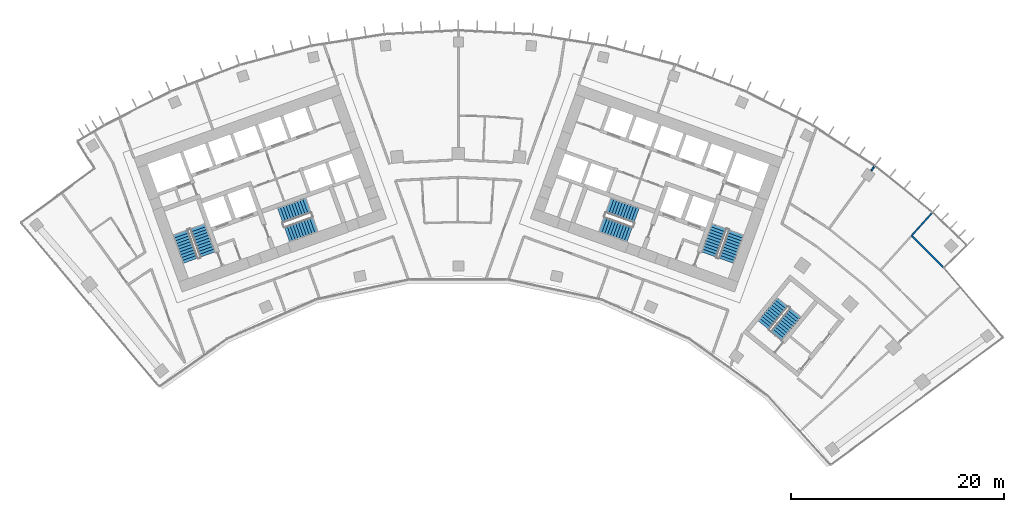
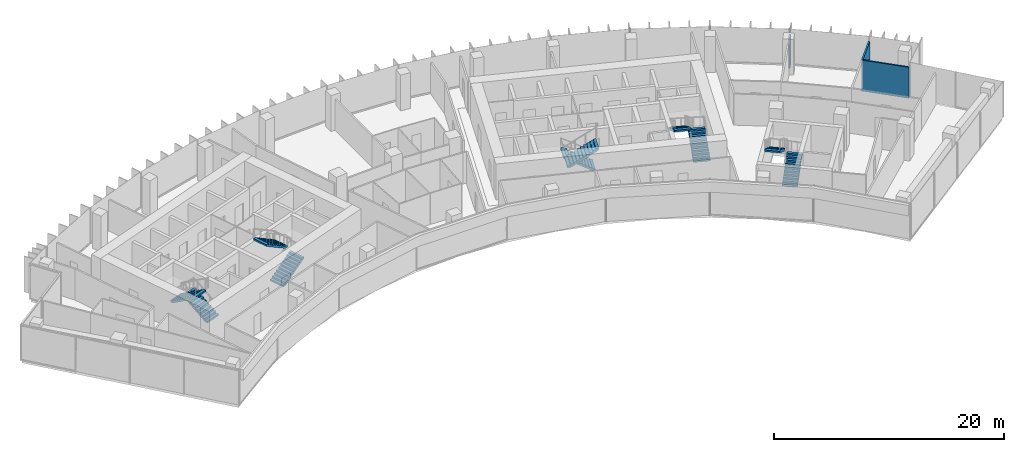
# One storey, part 17 of 19: 10 stair flights, 3 walls, 5 elements without a shape of their own.
"""IFC4 building model written with IfcOpenShell, lengths in metres."""

from ifc_helpers import new_model, si_unit, direction, frame, frame_2d, origin, place, context, subcontext, project, spatial, polyline, rectangle, outline, extrude, material, layer, layer_set, type_object, element, aggregate, save


model = new_model("IFC4")

# Units and contexts
model_context = context("Model", 3, precision=1e-05, world=origin(), true_north=direction((0.0, 1.0)))
body_context = subcontext(model_context, "Body", "Model", "MODEL_VIEW")
ifc_project = project(units=[si_unit("LENGTHUNIT", "METRE"), si_unit("AREAUNIT", "SQUARE_METRE"), si_unit("VOLUMEUNIT", "CUBIC_METRE"), si_unit("PLANEANGLEUNIT", "RADIAN"), si_unit("MASSUNIT", "GRAM", prefix="KILO")], contexts=[model_context])

# Site, building, storey
site_placement = place(None, origin())
site = spatial("IfcSite", under=ifc_project, at=site_placement, CompositionType="ELEMENT")
building_placement = place(site_placement, origin())
building = spatial("IfcBuilding", under=site, at=building_placement, Name="Stone Belt Terrace Tower", CompositionType="ELEMENT")
storey_placement = place(building_placement, frame((0.0, 0.0, 246.60009765625)))
storey = spatial("IfcBuildingStorey", under=building, at=storey_placement, Name="L60", CompositionType="ELEMENT", Elevation=246.60009765625)

# Walls
ifc_material_1 = material(Name="Gypsum board partition")
ifc_layer = layer(ifc_material_1, 0.14990234375)
ifc_layer_set = layer_set([ifc_layer], Name="PARTITION 150 EI 60")
wall_type = type_object("IfcWallType", Name="PARTITION 150 EI 60", PredefinedType="PARTITIONING", material=ifc_layer_set)
wall_1_placement = place(storey_placement, frame((39.087890625, 53.7998046875, 0.0), z_axis=(0.0, 0.0, 1.0), x_axis=(-0.588057050604, -0.808819451568, 0.0)))
element("IfcWall", 1, at=wall_1_placement, inside=storey, type_object=wall_type, Name="L60/wall/i057", PredefinedType="PARTITIONING", context=body_context, shape_type="SweptSolid", body=[
    extrude(rectangle(XDim=0.506591796875, YDim=0.14990234375, at=frame_2d((0.25341796875, 0.0))), origin(), (0.0, 0.0, 1.0), 3.2998046875),
])
wall_2_placement = place(storey_placement, frame((44.496826171875, 49.419189453125, 0.0), z_axis=(0.0, 0.0, 1.0), x_axis=(-0.669158170693, -0.743120005514, 0.0)))
element("IfcWall", 2, at=wall_2_placement, inside=storey, type_object=wall_type, Name="L60/wall/i060", PredefinedType="PARTITIONING", context=body_context, shape_type="SweptSolid", body=[
    extrude(rectangle(XDim=2.858642578125, YDim=0.14990234375, at=frame_2d((1.42919921875, 0.0))), origin(), (0.0, 0.0, 1.0), 3.2998046875),
])
wall_3_placement = place(storey_placement, frame((42.587890625, 47.299072265625, 0.0), z_axis=(0.0, 0.0, 1.0), x_axis=(0.707106781187, -0.707106781187, 0.0)))
element("IfcWall", 3, at=wall_3_placement, inside=storey, type_object=wall_type, Name="L60/wall/i061", PredefinedType="PARTITIONING", context=body_context, shape_type="SweptSolid", body=[
    extrude(rectangle(XDim=4.2099609375, YDim=0.14990234375, at=frame_2d((2.10498046875, 0.0))), origin(), (0.0, 0.0, 1.0), 3.2998046875),
])

# Stair, stair flights
ifc_material_2 = material(Name="Concrete B40", Category="concrete")
stair_type = type_object("IfcStairType", Name="Exit stair 1500", PredefinedType="HALF_TURN_STAIR", material=ifc_material_2)
stair_1_placement = place(storey_placement, origin())
stair_1 = element("IfcStair", 4, at=stair_1_placement, inside=storey, type_object=stair_type, Name="L60 Exit stair 1 core A", PredefinedType="HALF_TURN_STAIR")
stair_flight_type = type_object("IfcStairFlightType", Name="Stair flight 1500", PredefinedType="STRAIGHT", material=ifc_material_2)
stair_flight_1_placement = place(storey_placement, frame((-23.55322265625, 45.51318359375, 0.0), z_axis=(0.0, 0.0, 1.0), x_axis=(-0.338624396177, 0.940921632398, 0.0)))
stair_flight_1 = element("IfcStairFlight", 5, at=stair_flight_1_placement, type_object=stair_flight_type, Name="ST1A flight 1", NumberOfRisers=11, NumberOfTreads=10, PredefinedType="STRAIGHT", RiserHeight=0.172727273, TreadLength=0.28, context=body_context, shape_type="SweptSolid", body=[
    extrude(outline(polyline([(0.0, 0.0), (0.0, 0.172607421875), (0.280029296875, 0.172607421875), (0.280029296875, 0.345458984375), (0.56005859375, 0.345458984375), (0.56005859375, 0.51806640625), (0.840087890625, 0.51806640625), (0.840087890625, 0.69091796875), (1.1201171875, 0.69091796875), (1.1201171875, 0.863525390625), (1.39990234375, 0.863525390625), (1.39990234375, 1.036376953125), (1.679931640625, 1.036376953125), (1.679931640625, 1.208984375), (1.9599609375, 1.208984375), (1.9599609375, 1.3818359375), (2.239990234375, 1.3818359375), (2.239990234375, 1.554443359375), (2.52001953125, 1.554443359375), (2.52001953125, 1.727294921875), (2.800048828125, 1.727294921875), (2.800048828125, 1.89990234375), (2.800048828125, 1.551025390625), (0.285400390625, 0.0), (0.0, 0.0)])), frame((0.0, 0.75, 0.0), z_axis=(0.0, -1.0, 0.0), x_axis=(1.0, 0.0, 0.0)), (0.0, 0.0, 1.0), 1.5),
])
stair_flight_2_placement = place(storey_placement, frame((-26.10107421875, 47.572021484375, 1.89990234375), z_axis=(0.0, 0.0, 1.0), x_axis=(0.338624396177, -0.940921632398, 0.0)))
stair_flight_2 = element("IfcStairFlight", 6, at=stair_flight_2_placement, type_object=stair_flight_type, Name="ST1A flight 2", NumberOfRisers=11, NumberOfTreads=10, PredefinedType="STRAIGHT", RiserHeight=0.172727273, TreadLength=0.28, context=body_context, shape_type="SweptSolid", body=[
    extrude(outline(polyline([(0.0, 0.0), (0.0, 0.172607421875), (0.280029296875, 0.172607421875), (0.280029296875, 0.345458984375), (0.56005859375, 0.345458984375), (0.56005859375, 0.51806640625), (0.840087890625, 0.51806640625), (0.840087890625, 0.69091796875), (1.1201171875, 0.69091796875), (1.1201171875, 0.863525390625), (1.39990234375, 0.863525390625), (1.39990234375, 1.036376953125), (1.679931640625, 1.036376953125), (1.679931640625, 1.208984375), (1.9599609375, 1.208984375), (1.9599609375, 1.3818359375), (2.239990234375, 1.3818359375), (2.239990234375, 1.554443359375), (2.52001953125, 1.554443359375), (2.52001953125, 1.727294921875), (2.800048828125, 1.727294921875), (2.800048828125, 1.89990234375), (2.800048828125, 1.551025390625), (0.285400390625, 0.0), (0.0, 0.0)])), frame((0.0, 0.75, 0.0), z_axis=(0.0, -1.0, 0.0), x_axis=(1.0, 0.0, 0.0)), (0.0, 0.0, 1.0), 1.5),
])
aggregate(stair_1, [stair_flight_1, stair_flight_2])

stair_2_placement = place(storey_placement, origin())
stair_2 = element("IfcStair", 7, at=stair_2_placement, inside=storey, type_object=stair_type, Name="L60 Exit stair 2 core A", PredefinedType="HALF_TURN_STAIR")
stair_flight_3_placement = place(storey_placement, frame((-16.101318359375, 47.39794921875, 0.0), z_axis=(0.0, 0.0, 1.0), x_axis=(0.940921632398, 0.338624396177, 0.0)))
stair_flight_3 = element("IfcStairFlight", 8, at=stair_flight_3_placement, type_object=stair_flight_type, Name="ST2A flight 1", NumberOfRisers=11, NumberOfTreads=10, PredefinedType="STRAIGHT", RiserHeight=0.172727273, TreadLength=0.28, context=body_context, shape_type="SweptSolid", body=[
    extrude(outline(polyline([(0.0, 0.0), (0.0, 0.172607421875), (0.280029296875, 0.172607421875), (0.280029296875, 0.345458984375), (0.56005859375, 0.345458984375), (0.56005859375, 0.51806640625), (0.840087890625, 0.51806640625), (0.840087890625, 0.69091796875), (1.1201171875, 0.69091796875), (1.1201171875, 0.863525390625), (1.39990234375, 0.863525390625), (1.39990234375, 1.036376953125), (1.679931640625, 1.036376953125), (1.679931640625, 1.208984375), (1.9599609375, 1.208984375), (1.9599609375, 1.3818359375), (2.239990234375, 1.3818359375), (2.239990234375, 1.554443359375), (2.52001953125, 1.554443359375), (2.52001953125, 1.727294921875), (2.800048828125, 1.727294921875), (2.800048828125, 1.89990234375), (2.800048828125, 1.551025390625), (0.285400390625, 0.0), (0.0, 0.0)])), frame((0.0, 0.75, 0.0), z_axis=(0.0, -1.0, 0.0), x_axis=(1.0, 0.0, 0.0)), (0.0, 0.0, 1.0), 1.5),
])
stair_flight_4_placement = place(storey_placement, frame((-14.110107421875, 50.1337890625, 1.89990234375), z_axis=(0.0, 0.0, 1.0), x_axis=(-0.940921632398, -0.338624396177, 0.0)))
stair_flight_4 = element("IfcStairFlight", 9, at=stair_flight_4_placement, type_object=stair_flight_type, Name="ST2A flight 2", NumberOfRisers=11, NumberOfTreads=10, PredefinedType="STRAIGHT", RiserHeight=0.172727273, TreadLength=0.28, context=body_context, shape_type="SweptSolid", body=[
    extrude(outline(polyline([(0.0, 0.0), (0.0, 0.172607421875), (0.280029296875, 0.172607421875), (0.280029296875, 0.345458984375), (0.56005859375, 0.345458984375), (0.56005859375, 0.51806640625), (0.840087890625, 0.51806640625), (0.840087890625, 0.69091796875), (1.1201171875, 0.69091796875), (1.1201171875, 0.863525390625), (1.39990234375, 0.863525390625), (1.39990234375, 1.036376953125), (1.679931640625, 1.036376953125), (1.679931640625, 1.208984375), (1.9599609375, 1.208984375), (1.9599609375, 1.3818359375), (2.239990234375, 1.3818359375), (2.239990234375, 1.554443359375), (2.52001953125, 1.554443359375), (2.52001953125, 1.727294921875), (2.800048828125, 1.727294921875), (2.800048828125, 1.89990234375), (2.800048828125, 1.551025390625), (0.285400390625, 0.0), (0.0, 0.0)])), frame((0.0, 0.75, 0.0), z_axis=(0.0, -1.0, 0.0), x_axis=(1.0, 0.0, 0.0)), (0.0, 0.0, 1.0), 1.5),
])
aggregate(stair_2, [stair_flight_3, stair_flight_4])

stair_3_placement = place(storey_placement, origin())
stair_3 = element("IfcStair", 10, at=stair_3_placement, inside=storey, type_object=stair_type, Name="L60 Exit stair 1 core B", PredefinedType="HALF_TURN_STAIR")
stair_flight_5_placement = place(storey_placement, frame((25.15283203125, 44.9375, 0.0), z_axis=(0.0, 0.0, 1.0), x_axis=(0.338624396177, 0.940921632398, 0.0)))
stair_flight_5 = element("IfcStairFlight", 11, at=stair_flight_5_placement, type_object=stair_flight_type, Name="ST1B flight 1", NumberOfRisers=11, NumberOfTreads=10, PredefinedType="STRAIGHT", RiserHeight=0.172727273, TreadLength=0.28, context=body_context, shape_type="SweptSolid", body=[
    extrude(outline(polyline([(0.0, 0.0), (0.0, 0.172607421875), (0.280029296875, 0.172607421875), (0.280029296875, 0.345458984375), (0.56005859375, 0.345458984375), (0.56005859375, 0.51806640625), (0.840087890625, 0.51806640625), (0.840087890625, 0.69091796875), (1.1201171875, 0.69091796875), (1.1201171875, 0.863525390625), (1.39990234375, 0.863525390625), (1.39990234375, 1.036376953125), (1.679931640625, 1.036376953125), (1.679931640625, 1.208984375), (1.9599609375, 1.208984375), (1.9599609375, 1.3818359375), (2.239990234375, 1.3818359375), (2.239990234375, 1.554443359375), (2.52001953125, 1.554443359375), (2.52001953125, 1.727294921875), (2.800048828125, 1.727294921875), (2.800048828125, 1.89990234375), (2.800048828125, 1.551025390625), (0.285400390625, 0.0), (0.0, 0.0)])), frame((0.0, 0.75, 0.0), z_axis=(0.0, -1.0, 0.0), x_axis=(1.0, 0.0, 0.0)), (0.0, 0.0, 1.0), 1.5),
])
stair_flight_6_placement = place(storey_placement, frame((24.50146484375, 48.147705078125, 1.89990234375), z_axis=(0.0, 0.0, 1.0), x_axis=(-0.338624396177, -0.940921632398, 0.0)))
stair_flight_6 = element("IfcStairFlight", 12, at=stair_flight_6_placement, type_object=stair_flight_type, Name="ST1B flight 2", NumberOfRisers=11, NumberOfTreads=10, PredefinedType="STRAIGHT", RiserHeight=0.172727273, TreadLength=0.28, context=body_context, shape_type="SweptSolid", body=[
    extrude(outline(polyline([(0.0, 0.0), (0.0, 0.172607421875), (0.280029296875, 0.172607421875), (0.280029296875, 0.345458984375), (0.56005859375, 0.345458984375), (0.56005859375, 0.51806640625), (0.840087890625, 0.51806640625), (0.840087890625, 0.69091796875), (1.1201171875, 0.69091796875), (1.1201171875, 0.863525390625), (1.39990234375, 0.863525390625), (1.39990234375, 1.036376953125), (1.679931640625, 1.036376953125), (1.679931640625, 1.208984375), (1.9599609375, 1.208984375), (1.9599609375, 1.3818359375), (2.239990234375, 1.3818359375), (2.239990234375, 1.554443359375), (2.52001953125, 1.554443359375), (2.52001953125, 1.727294921875), (2.800048828125, 1.727294921875), (2.800048828125, 1.89990234375), (2.800048828125, 1.551025390625), (0.285400390625, 0.0), (0.0, 0.0)])), frame((0.0, 0.75, 0.0), z_axis=(0.0, -1.0, 0.0), x_axis=(1.0, 0.0, 0.0)), (0.0, 0.0, 1.0), 1.5),
])
aggregate(stair_3, [stair_flight_5, stair_flight_6])

stair_4_placement = place(storey_placement, origin())
stair_4 = element("IfcStair", 13, at=stair_4_placement, inside=storey, type_object=stair_type, Name="L60 Exit stair 2 core B", PredefinedType="HALF_TURN_STAIR")
stair_flight_7_placement = place(storey_placement, frame((16.74462890625, 49.185546875, 0.0), z_axis=(0.0, 0.0, 1.0), x_axis=(-0.940921632398, 0.338624396177, 0.0)))
stair_flight_7 = element("IfcStairFlight", 14, at=stair_flight_7_placement, type_object=stair_flight_type, Name="ST2B flight 1", NumberOfRisers=11, NumberOfTreads=10, PredefinedType="STRAIGHT", RiserHeight=0.172727273, TreadLength=0.28, context=body_context, shape_type="SweptSolid", body=[
    extrude(outline(polyline([(0.0, 0.0), (0.0, 0.172607421875), (0.280029296875, 0.172607421875), (0.280029296875, 0.345458984375), (0.56005859375, 0.345458984375), (0.56005859375, 0.51806640625), (0.840087890625, 0.51806640625), (0.840087890625, 0.69091796875), (1.1201171875, 0.69091796875), (1.1201171875, 0.863525390625), (1.39990234375, 0.863525390625), (1.39990234375, 1.036376953125), (1.679931640625, 1.036376953125), (1.679931640625, 1.208984375), (1.9599609375, 1.208984375), (1.9599609375, 1.3818359375), (2.239990234375, 1.3818359375), (2.239990234375, 1.554443359375), (2.52001953125, 1.554443359375), (2.52001953125, 1.727294921875), (2.800048828125, 1.727294921875), (2.800048828125, 1.89990234375), (2.800048828125, 1.551025390625), (0.285400390625, 0.0), (0.0, 0.0)])), frame((0.0, 0.75, 0.0), z_axis=(0.0, -1.0, 0.0), x_axis=(1.0, 0.0, 0.0)), (0.0, 0.0, 1.0), 1.5),
])
stair_flight_8_placement = place(storey_placement, frame((13.466796875, 48.345947265625, 1.89990234375), z_axis=(0.0, 0.0, 1.0), x_axis=(0.940921632398, -0.338624396177, 0.0)))
stair_flight_8 = element("IfcStairFlight", 15, at=stair_flight_8_placement, type_object=stair_flight_type, Name="ST2B flight 2", NumberOfRisers=11, NumberOfTreads=10, PredefinedType="STRAIGHT", RiserHeight=0.172727273, TreadLength=0.28, context=body_context, shape_type="SweptSolid", body=[
    extrude(outline(polyline([(0.0, 0.0), (0.0, 0.172607421875), (0.280029296875, 0.172607421875), (0.280029296875, 0.345458984375), (0.56005859375, 0.345458984375), (0.56005859375, 0.51806640625), (0.840087890625, 0.51806640625), (0.840087890625, 0.69091796875), (1.1201171875, 0.69091796875), (1.1201171875, 0.863525390625), (1.39990234375, 0.863525390625), (1.39990234375, 1.036376953125), (1.679931640625, 1.036376953125), (1.679931640625, 1.208984375), (1.9599609375, 1.208984375), (1.9599609375, 1.3818359375), (2.239990234375, 1.3818359375), (2.239990234375, 1.554443359375), (2.52001953125, 1.554443359375), (2.52001953125, 1.727294921875), (2.800048828125, 1.727294921875), (2.800048828125, 1.89990234375), (2.800048828125, 1.551025390625), (0.285400390625, 0.0), (0.0, 0.0)])), frame((0.0, 0.75, 0.0), z_axis=(0.0, -1.0, 0.0), x_axis=(1.0, 0.0, 0.0)), (0.0, 0.0, 1.0), 1.5),
])
aggregate(stair_4, [stair_flight_7, stair_flight_8])

stair_5_placement = place(storey_placement, origin())
stair_5 = element("IfcStair", 16, at=stair_5_placement, inside=storey, type_object=stair_type, Name="L60 Exit stair 3B", PredefinedType="HALF_TURN_STAIR")
stair_flight_9_placement = place(storey_placement, frame((29.88330078125, 37.887939453125, 0.0), z_axis=(0.0, 0.0, 1.0), x_axis=(0.630205749599, 0.776428176441, 0.0)))
stair_flight_9 = element("IfcStairFlight", 17, at=stair_flight_9_placement, type_object=stair_flight_type, Name="ST3B flight 1", NumberOfRisers=11, NumberOfTreads=10, PredefinedType="STRAIGHT", RiserHeight=0.172727273, TreadLength=0.28, context=body_context, shape_type="SweptSolid", body=[
    extrude(outline(polyline([(0.0, 0.0), (0.0, 0.172607421875), (0.280029296875, 0.172607421875), (0.280029296875, 0.345458984375), (0.56005859375, 0.345458984375), (0.56005859375, 0.51806640625), (0.840087890625, 0.51806640625), (0.840087890625, 0.69091796875), (1.1201171875, 0.69091796875), (1.1201171875, 0.863525390625), (1.39990234375, 0.863525390625), (1.39990234375, 1.036376953125), (1.679931640625, 1.036376953125), (1.679931640625, 1.208984375), (1.9599609375, 1.208984375), (1.9599609375, 1.3818359375), (2.239990234375, 1.3818359375), (2.239990234375, 1.554443359375), (2.52001953125, 1.554443359375), (2.52001953125, 1.727294921875), (2.800048828125, 1.727294921875), (2.800048828125, 1.89990234375), (2.800048828125, 1.551025390625), (0.285400390625, 0.0), (0.0, 0.0)])), frame((0.0, 0.675048828125, 0.0), z_axis=(0.0, -1.0, 0.0), x_axis=(1.0, 0.0, 0.0)), (0.0, 0.0, 1.0), 1.35009765625),
])
stair_flight_10_placement = place(storey_placement, frame((30.4443359375, 41.038818359375, 1.89990234375), z_axis=(0.0, 0.0, 1.0), x_axis=(-0.630205749599, -0.776428176441, 0.0)))
stair_flight_10 = element("IfcStairFlight", 18, at=stair_flight_10_placement, type_object=stair_flight_type, Name="ST3B flight 2", NumberOfRisers=11, NumberOfTreads=10, PredefinedType="STRAIGHT", RiserHeight=0.172727273, TreadLength=0.28, context=body_context, shape_type="SweptSolid", body=[
    extrude(outline(polyline([(0.0, 0.0), (0.0, 0.172607421875), (0.280029296875, 0.172607421875), (0.280029296875, 0.345458984375), (0.56005859375, 0.345458984375), (0.56005859375, 0.51806640625), (0.840087890625, 0.51806640625), (0.840087890625, 0.69091796875), (1.1201171875, 0.69091796875), (1.1201171875, 0.863525390625), (1.39990234375, 0.863525390625), (1.39990234375, 1.036376953125), (1.679931640625, 1.036376953125), (1.679931640625, 1.208984375), (1.9599609375, 1.208984375), (1.9599609375, 1.3818359375), (2.239990234375, 1.3818359375), (2.239990234375, 1.554443359375), (2.52001953125, 1.554443359375), (2.52001953125, 1.727294921875), (2.800048828125, 1.727294921875), (2.800048828125, 1.89990234375), (2.800048828125, 1.551025390625), (0.285400390625, 0.0), (0.0, 0.0)])), frame((0.0, 0.675048828125, 0.0), z_axis=(0.0, -1.0, 0.0), x_axis=(1.0, 0.0, 0.0)), (0.0, 0.0, 1.0), 1.35009765625),
])
aggregate(stair_5, [stair_flight_9, stair_flight_10])

save(model, "model.ifc")
